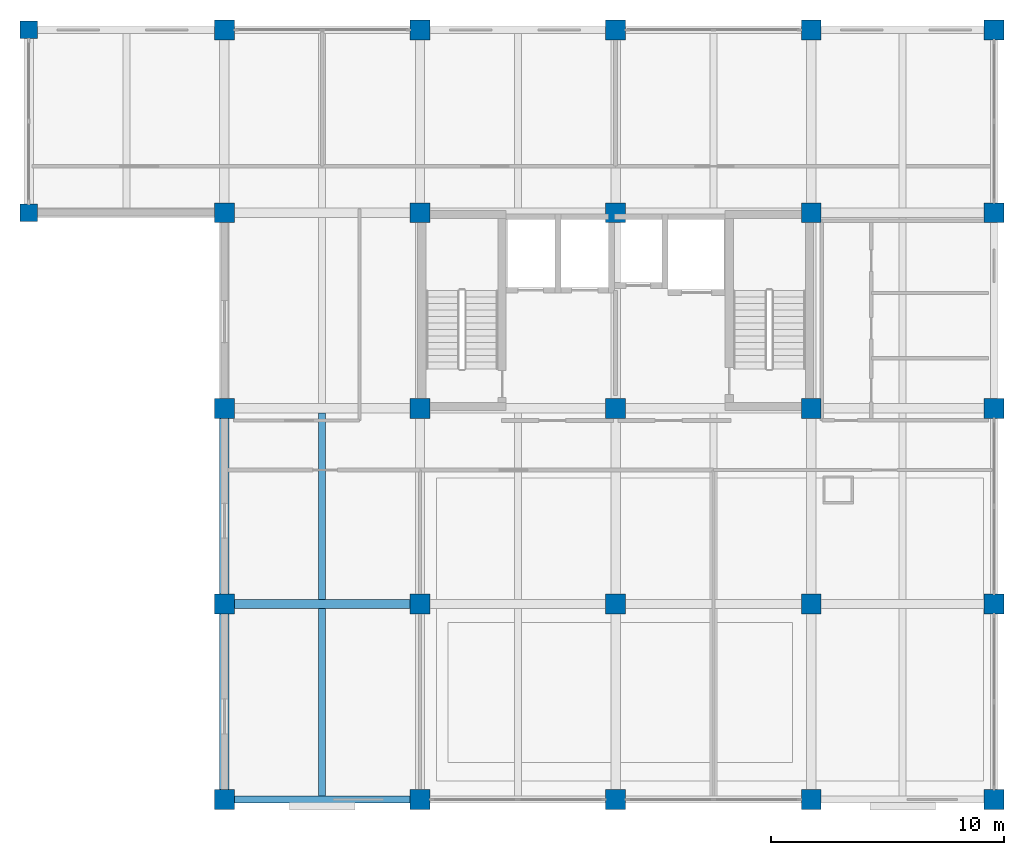
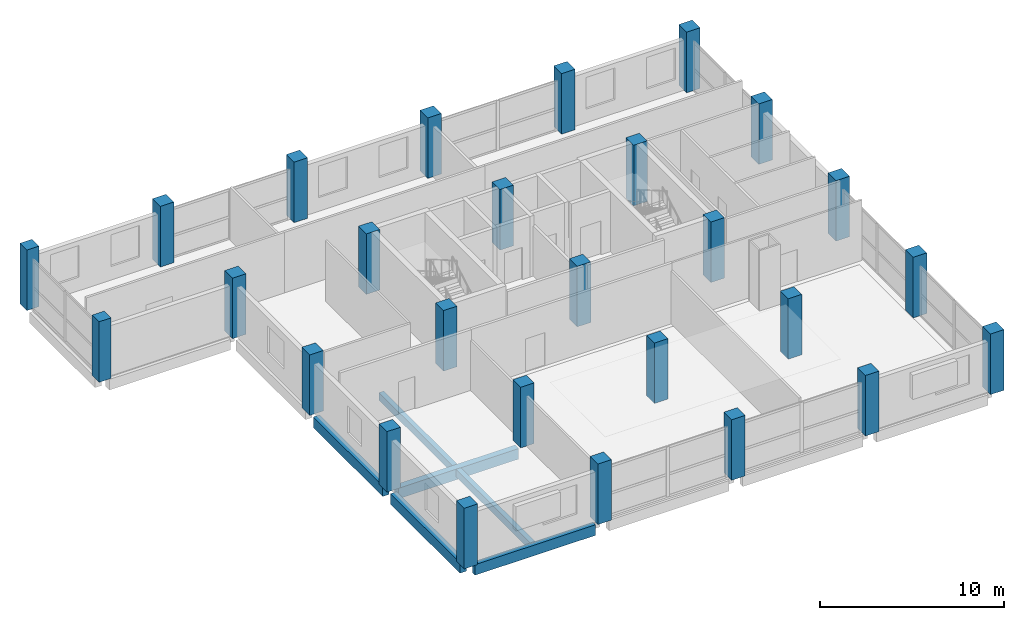
# One storey, part 1 of 9: 27 columns, 6 beams.
"""IFC4 building model written with IfcOpenShell, lengths in metres."""

from ifc_helpers import new_model, si_unit, direction, frame, origin, origin_2d, place, context, subcontext, project, spatial, rectangle, extrude, material, material_profile, profile_set, type_object, element, save


model = new_model("IFC4")

# Units and contexts
model_context = context("Model", 3, precision=1e-05, world=origin(), true_north=direction((0.0, 1.0)))
body_context = subcontext(model_context, "Body", "Model", "MODEL_VIEW")
ifc_project = project(units=[si_unit("LENGTHUNIT", "METRE"), si_unit("AREAUNIT", "SQUARE_METRE"), si_unit("VOLUMEUNIT", "CUBIC_METRE"), si_unit("PLANEANGLEUNIT", "RADIAN"), si_unit("MASSUNIT", "GRAM", prefix="KILO")], contexts=[model_context])

# Site, building, storey
site_placement = place(None, origin())
site = spatial("IfcSite", under=ifc_project, at=site_placement, CompositionType="ELEMENT")
building_placement = place(site_placement, origin())
building = spatial("IfcBuilding", under=site, at=building_placement, Name="Brinegate Botanical Conservatory", CompositionType="ELEMENT")
storey_placement = place(building_placement, frame((0.0, 0.0, 36.0)))
storey = spatial("IfcBuildingStorey", under=building, at=storey_placement, Name="L09", CompositionType="ELEMENT", Elevation=36.0)

# Columns
ifc_material = material(Name="Concrete C40/50", Category="concrete")
ifc_material_profile_1 = material_profile(ifc_material, rectangle(XDim=0.85009765625, YDim=0.85009765625, at=origin_2d()), Name="RC COL 850x850")
ifc_profile_set_1 = profile_set([ifc_material_profile_1], Name="Concrete C40/50")
column_type_1 = type_object("IfcColumnType", Name="Col_C-T3", PredefinedType="COLUMN", material=ifc_profile_set_1)
for number, where, z_axis, x_axis, name in (
    (1, (130.39990234375, 78.39990234375, 0.0), (0.0, 0.0, 1.0), (1.0, 0.0, 0.0), "Column C-T3 L09 K-17"),
    (2, (130.39990234375, 86.800048828125, 0.0), (0.0, 0.0, 1.0), (1.0, 0.0, 0.0), "Column C-T3 L09 L-17"),
    (3, (130.39990234375, 95.199951171875, 0.0), (0.0, 0.0, 1.0), (1.0, 0.0, 0.0), "Column C-T3 L09 M-17"),
    (4, (130.39990234375, 103.60009765625, 0.0), (0.0, 0.0, 1.0), (1.0, 0.0, 0.0), "Column C-T3 L09 N-17"),
    (5, (130.39990234375, 111.449951171875, 0.0), (0.0, 0.0, 1.0), (1.0, 0.0, 0.0), "Column C-T3 L09 P-17"),
    (6, (138.800048828125, 78.39990234375, 0.0), (0.0, 0.0, 1.0), (1.0, 0.0, 0.0), "Column C-T3 L09 K-18"),
    (7, (138.800048828125, 86.800048828125, 0.0), (0.0, 0.0, 1.0), (1.0, 0.0, 0.0), "Column C-T3 L09 L-18"),
    (8, (138.800048828125, 95.199951171875, 0.0), (0.0, 0.0, 1.0), (1.0, 0.0, 0.0), "Column C-T3 L09 M-18"),
    (9, (138.800048828125, 103.60009765625, 0.0), (0.0, 0.0, 1.0), (1.0, 0.0, 0.0), "Column C-T3 L09 N-18"),
    (10, (138.800048828125, 111.449951171875, 0.0), (0.0, 0.0, 1.0), (1.0, 0.0, 0.0), "Column C-T3 L09 P-18"),
    (11, (147.199951171875, 78.39990234375, 0.0), (0.0, 0.0, 1.0), (1.0, 0.0, 0.0), "Column C-T3 L09 K-19"),
    (12, (147.199951171875, 86.800048828125, 0.0), (0.0, 0.0, 1.0), (1.0, 0.0, 0.0), "Column C-T3 L09 L-19"),
    (13, (147.199951171875, 95.199951171875, 0.0), (0.0, 0.0, 1.0), (1.0, 0.0, 0.0), "Column C-T3 L09 M-19"),
    (14, (147.199951171875, 103.60009765625, 0.0), (0.0, 0.0, 1.0), (1.0, 0.0, 0.0), "Column C-T3 L09 N-19"),
    (15, (147.199951171875, 111.449951171875, 0.0), (0.0, 0.0, 1.0), (1.0, 0.0, 0.0), "Column C-T3 L09 P-19"),
    (16, (155.60009765625, 78.39990234375, 0.0), (0.0, 0.0, 1.0), (1.0, 0.0, 0.0), "Column C-T3 L09 K-20"),
    (17, (155.60009765625, 86.800048828125, 0.0), (0.0, 0.0, 1.0), (1.0, 0.0, 0.0), "Column C-T3 L09 L-20"),
    (18, (155.60009765625, 95.199951171875, 0.0), (0.0, 0.0, 1.0), (1.0, 0.0, 0.0), "Column C-T3 L09 M-20"),
    (19, (155.60009765625, 103.60009765625, 0.0), (0.0, 0.0, 1.0), (1.0, 0.0, 0.0), "Column C-T3 L09 N-20"),
    (20, (155.60009765625, 111.449951171875, 0.0), (0.0, 0.0, 1.0), (1.0, 0.0, 0.0), "Column C-T3 L09 P-20"),
    (21, (163.449951171875, 78.39990234375, 0.0), (0.0, 0.0, 1.0), (1.0, 0.0, 0.0), "Column C-T3 L09 K-21"),
    (22, (163.449951171875, 86.800048828125, 0.0), (0.0, 0.0, 1.0), (1.0, 0.0, 0.0), "Column C-T3 L09 L-21"),
    (23, (163.449951171875, 95.199951171875, 0.0), (0.0, 0.0, 1.0), (1.0, 0.0, 0.0), "Column C-T3 L09 M-21"),
    (24, (163.449951171875, 103.60009765625, 0.0), (0.0, 0.0, 1.0), (1.0, 0.0, 0.0), "Column C-T3 L09 N-21"),
    (25, (163.449951171875, 111.449951171875, 0.0), (0.0, 0.0, 1.0), (1.0, 0.0, 0.0), "Column C-T3 L09 P-21"),
):
    element("IfcColumn", number, at=place(storey_placement, frame(where, z_axis=z_axis, x_axis=x_axis)), inside=storey, type_object=column_type_1, Name=name, PredefinedType="COLUMN", context=body_context, shape_type="SweptSolid", body=[
        extrude(rectangle(XDim=0.85009765625, YDim=0.85009765625, at=origin_2d()), origin(), (0.0, 0.0, 1.0), 4.02001953125),
    ])
ifc_material_profile_2 = material_profile(ifc_material, rectangle(XDim=0.75, YDim=0.75, at=origin_2d()), Name="RC COL 750x750")
ifc_profile_set_2 = profile_set([ifc_material_profile_2], Name="Concrete C40/50")
column_type_2 = type_object("IfcColumnType", Name="Col_C-T4", PredefinedType="COLUMN", material=ifc_profile_set_2)
for number, where, z_axis, x_axis, name in (
    (26, (122.0, 103.60009765625, 0.0), (0.0, 0.0, 1.0), (1.0, 0.0, 0.0), "Column C-T4 L09 N-16"),
    (27, (122.0, 111.449951171875, 0.0), (0.0, 0.0, 1.0), (1.0, 0.0, 0.0), "Column C-T4 L09 P-16"),
):
    element("IfcColumn", number, at=place(storey_placement, frame(where, z_axis=z_axis, x_axis=x_axis)), inside=storey, type_object=column_type_2, Name=name, PredefinedType="COLUMN", context=body_context, shape_type="SweptSolid", body=[
        extrude(rectangle(XDim=0.75, YDim=0.75, at=origin_2d()), origin(), (0.0, 0.0, 1.0), 4.02001953125),
    ])

# Beams
ifc_material_profile_3 = material_profile(ifc_material, rectangle(XDim=0.39990234375, YDim=0.699951171875, at=origin_2d()), Name="RC BM 400x700")
ifc_profile_set_3 = profile_set([ifc_material_profile_3], Name="Concrete C40/50")
beam_type_1 = type_object("IfcBeamType", Name="Beam_BM-T2", PredefinedType="BEAM", material=ifc_profile_set_3)
for number, where, z_axis, x_axis, name in (
    (28, (130.824951171875, 86.800048828125, -0.530029296875), (1.0, 0.0, 0.0), (0.0, 1.0, 0.0), "Beam BM-T2 L09 L:17-18"),
    (29, (130.39990234375, 78.824951171875, -0.530029296875), (0.0, 1.0, 0.0), (-1.0, 0.0, 0.0), "Beam BM-T2 L09 17:K-L"),
):
    element("IfcBeam", number, at=place(storey_placement, frame(where, z_axis=z_axis, x_axis=x_axis)), inside=storey, type_object=beam_type_1, Name=name, PredefinedType="BEAM", context=body_context, shape_type="SweptSolid", body=[
        extrude(rectangle(XDim=0.39990234375, YDim=0.699951171875, at=origin_2d()), origin(), (0.0, 0.0, 1.0), 7.550048828125),
    ])
beam_1_placement = place(storey_placement, frame((130.39990234375, 87.22509765625, -0.530029296875), z_axis=(0.0, 1.0, 0.0), x_axis=(-1.0, 0.0, 0.0)))
element("IfcBeam", 30, at=beam_1_placement, inside=storey, type_object=beam_type_1, Name="Beam BM-T2 L09 17:L-M", PredefinedType="BEAM", context=body_context, shape_type="SweptSolid", body=[
    extrude(rectangle(XDim=0.39990234375, YDim=0.699951171875, at=origin_2d()), origin(), (0.0, 0.0, 1.0), 7.5498046875),
])
ifc_material_profile_4 = material_profile(ifc_material, rectangle(XDim=0.300048828125, YDim=0.5, at=origin_2d()), Name="RC JST 300x500")
ifc_profile_set_4 = profile_set([ifc_material_profile_4], Name="Concrete C40/50")
beam_type_2 = type_object("IfcBeamType", Name="Beam_JS-C2", PredefinedType="JOIST", material=ifc_profile_set_4)
beam_2_placement = place(storey_placement, frame((134.60009765625, 78.550048828125, -0.429931640625), z_axis=(0.0, 1.0, 0.0), x_axis=(-1.0, 0.0, 0.0)))
element("IfcBeam", 31, at=beam_2_placement, inside=storey, type_object=beam_type_2, Name="Floor joist JS-C2 L09 bay 17.10", PredefinedType="JOIST", context=body_context, shape_type="SweptSolid", body=[
    extrude(rectangle(XDim=0.300048828125, YDim=0.5, at=origin_2d()), origin(), (0.0, 0.0, 1.0), 8.050048828125),
])
beam_3_placement = place(storey_placement, frame((134.60009765625, 87.0, -0.429931640625), z_axis=(0.0, 1.0, 0.0), x_axis=(-1.0, 0.0, 0.0)))
element("IfcBeam", 32, at=beam_3_placement, inside=storey, type_object=beam_type_2, Name="Floor joist JS-C2 L09 bay 17.11", PredefinedType="JOIST", context=body_context, shape_type="SweptSolid", body=[
    extrude(rectangle(XDim=0.300048828125, YDim=0.5, at=origin_2d()), origin(), (0.0, 0.0, 1.0), 8.0),
])
ifc_material_profile_5 = material_profile(ifc_material, rectangle(XDim=0.300048828125, YDim=0.699951171875, at=origin_2d()), Name="RC SPN 300x700")
ifc_profile_set_5 = profile_set([ifc_material_profile_5], Name="Concrete C40/50")
beam_type_3 = type_object("IfcBeamType", Name="Beam_SP-02", PredefinedType="SPANDREL", material=ifc_profile_set_5)
beam_4_placement = place(storey_placement, frame((130.824951171875, 78.39990234375, -0.530029296875), z_axis=(1.0, 0.0, 0.0), x_axis=(0.0, 1.0, 0.0)))
element("IfcBeam", 33, at=beam_4_placement, inside=storey, type_object=beam_type_3, Name="Beam SP-02 L09 K:17-18", PredefinedType="SPANDREL", context=body_context, shape_type="SweptSolid", body=[
    extrude(rectangle(XDim=0.300048828125, YDim=0.699951171875, at=origin_2d()), origin(), (0.0, 0.0, 1.0), 7.550048828125),
])

save(model, "model.ifc")
